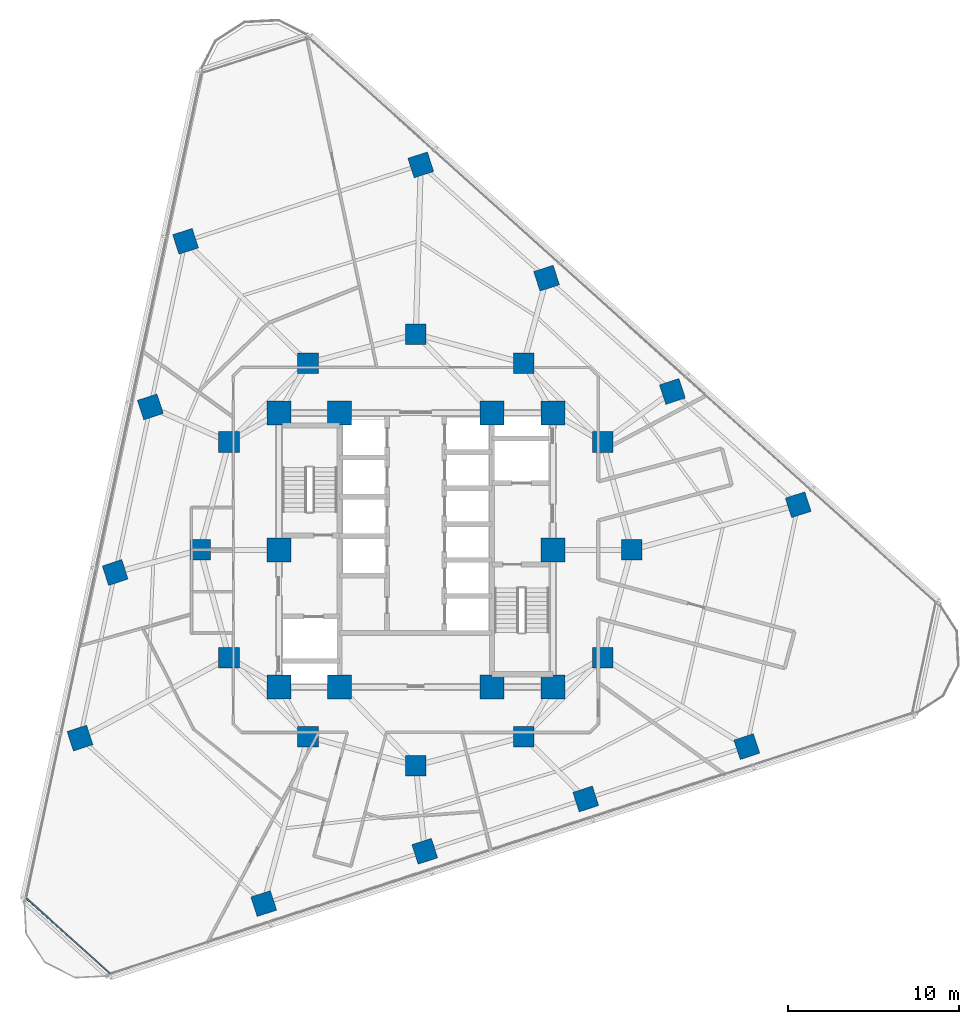
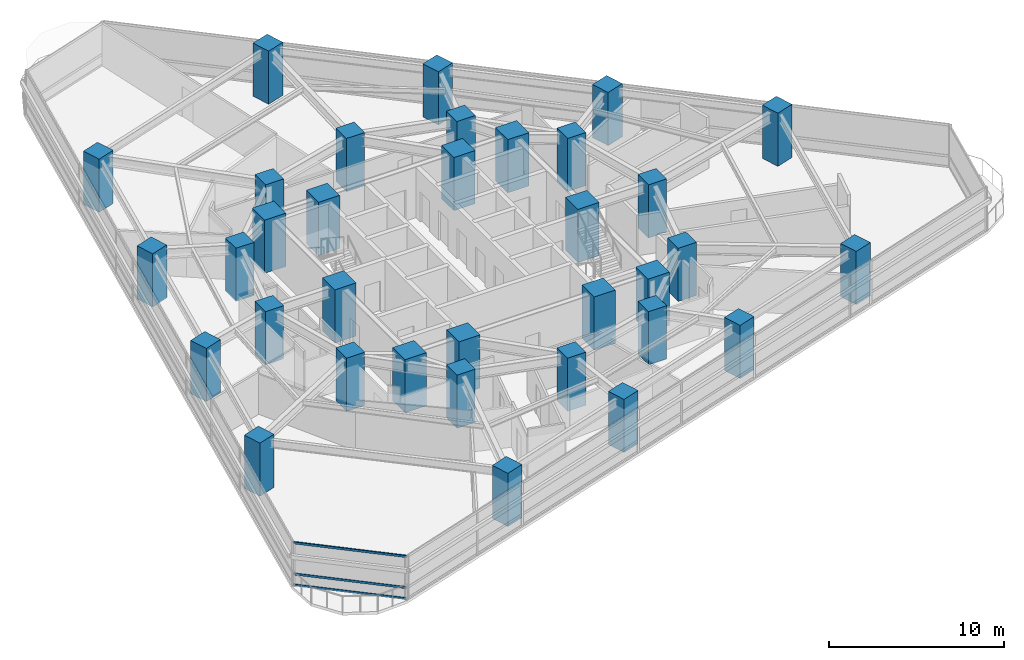
# One storey, part 1 of 13: 34 columns, 3 members, 1 element without a shape of its own.
"""IFC4 building model written with IfcOpenShell, lengths in metres."""

from ifc_helpers import new_model, si_unit, direction, frame, origin, origin_2d, place, context, subcontext, project, spatial, rectangle, extrude, material, layer, layer_set, material_profile, profile_set, type_object, element, aggregate, save


model = new_model("IFC4")

# Units and contexts
model_context = context("Model", 3, precision=1e-05, world=origin(), true_north=direction((0.0, 1.0)))
body_context = subcontext(model_context, "Body", "Model", "MODEL_VIEW")
ifc_project = project(units=[si_unit("LENGTHUNIT", "METRE"), si_unit("AREAUNIT", "SQUARE_METRE"), si_unit("VOLUMEUNIT", "CUBIC_METRE"), si_unit("PLANEANGLEUNIT", "RADIAN"), si_unit("MASSUNIT", "GRAM", prefix="KILO")], contexts=[model_context])

# Site, building, storey
site_placement = place(None, origin())
site = spatial("IfcSite", under=ifc_project, at=site_placement, CompositionType="ELEMENT")
building_placement = place(site_placement, origin())
building = spatial("IfcBuilding", under=site, at=building_placement, Name="Terralouvre Media Tower", CompositionType="ELEMENT")
storey_placement = place(building_placement, frame((0.0, 0.0, 90.300048828125)))
storey = spatial("IfcBuildingStorey", under=building, at=storey_placement, Name="L22", CompositionType="ELEMENT", Elevation=90.300048828125)

# Columns
ifc_material_1 = material(Name="Concrete C60/75", Category="concrete")
ifc_material_profile_1 = material_profile(ifc_material_1, rectangle(XDim=1.199951171875, YDim=1.199951171875, at=origin_2d()), Name="RC 1200x1200")
ifc_profile_set_1 = profile_set([ifc_material_profile_1], Name="Concrete C60/75")
column_type_1 = type_object("IfcColumnType", Name="Structural Column C-RC1200 (RC 1200x1200)", PredefinedType="COLUMN", material=ifc_profile_set_1)
for number, where, z_axis, x_axis, name in (
    (1, (12.60009765625, 0.0, 0.0), (0.0, 0.0, 1.0), (1.0, 0.0, 0.0), "L22 Mega-Frame Column MC01"),
    (2, (10.911865234375, 6.300048828125, 0.0), (0.0, 0.0, 1.0), (1.0, 0.0, 0.0), "L22 Mega-Frame Column MC02"),
    (3, (6.300048828125, 10.911865234375, 0.0), (0.0, 0.0, 1.0), (1.0, 0.0, 0.0), "L22 Mega-Frame Column MC03"),
    (4, (0.0, 12.60009765625, 0.0), (0.0, 0.0, 1.0), (1.0, 0.0, 0.0), "L22 Mega-Frame Column MC04"),
    (5, (-6.300048828125, 10.911865234375, 0.0), (0.0, 0.0, 1.0), (1.0, 0.0, 0.0), "L22 Mega-Frame Column MC05"),
    (6, (-10.911865234375, 6.300048828125, 0.0), (0.0, 0.0, 1.0), (1.0, 0.0, 0.0), "L22 Mega-Frame Column MC06"),
    (7, (-12.60009765625, 0.0, 0.0), (0.0, 0.0, 1.0), (1.0, 0.0, 0.0), "L22 Mega-Frame Column MC07"),
    (8, (-10.911865234375, -6.300048828125, 0.0), (0.0, 0.0, 1.0), (1.0, 0.0, 0.0), "L22 Mega-Frame Column MC08"),
    (9, (-6.300048828125, -10.911865234375, 0.0), (0.0, 0.0, 1.0), (1.0, 0.0, 0.0), "L22 Mega-Frame Column MC09"),
    (10, (0.0, -12.60009765625, 0.0), (0.0, 0.0, 1.0), (1.0, 0.0, 0.0), "L22 Mega-Frame Column MC10"),
    (11, (6.300048828125, -10.911865234375, 0.0), (0.0, 0.0, 1.0), (1.0, 0.0, 0.0), "L22 Mega-Frame Column MC11"),
    (12, (10.911865234375, -6.300048828125, 0.0), (0.0, 0.0, 1.0), (1.0, 0.0, 0.0), "L22 Mega-Frame Column MC12"),
    (13, (-8.883056640625, -20.658203125, 0.0), (0.0, 0.0, 1.0), (0.951056516295, 0.309016994375, 0.0), "L22 Perimeter Mega-Column PC11"),
    (14, (0.52099609375, -17.6025390625, 0.0), (0.0, 0.0, 1.0), (0.951056516295, 0.309016994375, 0.0), "L22 Perimeter Mega-Column PC12"),
    (15, (9.925048828125, -14.547119140625, 0.0), (0.0, 0.0, 1.0), (0.951056516295, 0.309016994375, 0.0), "L22 Perimeter Mega-Column PC13"),
    (16, (19.3291015625, -11.491455078125, 0.0), (0.0, 0.0, 1.0), (0.951056516295, 0.309016994375, 0.0), "L22 Perimeter Mega-Column PC14"),
    (17, (22.33203125, 2.63623046875, 0.0), (0.0, 0.0, 1.0), (0.951056516295, 0.309016994375, 0.0), "L22 Perimeter Mega-Column PC21"),
    (18, (14.98388671875, 9.25244140625, 0.0), (0.0, 0.0, 1.0), (0.951056516295, 0.309016994375, 0.0), "L22 Perimeter Mega-Column PC22"),
    (19, (7.635498046875, 15.868896484375, 0.0), (0.0, 0.0, 1.0), (0.951056516295, 0.309016994375, 0.0), "L22 Perimeter Mega-Column PC23"),
    (20, (0.287353515625, 22.4853515625, 0.0), (0.0, 0.0, 1.0), (0.951056516295, 0.309016994375, 0.0), "L22 Perimeter Mega-Column PC24"),
    (21, (-13.448974609375, 18.02197265625, 0.0), (0.0, 0.0, 1.0), (0.951056516295, 0.309016994375, 0.0), "L22 Perimeter Mega-Column PC31"),
    (22, (-15.5048828125, 8.35009765625, 0.0), (0.0, 0.0, 1.0), (0.951056516295, 0.309016994375, 0.0), "L22 Perimeter Mega-Column PC32"),
    (23, (-17.560791015625, -1.32177734375, 0.0), (0.0, 0.0, 1.0), (0.951056516295, 0.309016994375, 0.0), "L22 Perimeter Mega-Column PC33"),
    (24, (-19.616455078125, -10.99365234375, 0.0), (0.0, 0.0, 1.0), (0.951056516295, 0.309016994375, 0.0), "L22 Perimeter Mega-Column PC34"),
):
    element("IfcColumn", number, at=place(storey_placement, frame(where, z_axis=z_axis, x_axis=x_axis)), inside=storey, type_object=column_type_1, Name=name, PredefinedType="COLUMN", context=body_context, shape_type="SweptSolid", body=[
        extrude(rectangle(XDim=1.199951171875, YDim=1.199951171875, at=origin_2d()), origin(), (0.0, 0.0, 1.0), 3.699951171875),
    ])
ifc_material_2 = material(Name="Concrete C60/75", Category="concrete")
ifc_material_profile_2 = material_profile(ifc_material_2, rectangle(XDim=1.39990234375, YDim=1.39990234375, at=origin_2d()), Name="RC 1400x1400")
ifc_profile_set_2 = profile_set([ifc_material_profile_2], Name="Concrete C60/75")
column_type_2 = type_object("IfcColumnType", Name="Structural Column C-RC1400 (RC 1400x1400)", PredefinedType="COLUMN", material=ifc_profile_set_2)
for number, where, z_axis, x_axis, name in (
    (25, (-8.0, -8.0, 0.0), (0.0, 0.0, 1.0), (1.0, 0.0, 0.0), "L22 Core Pilaster Column CP1"),
    (26, (-4.449951171875, -8.0, 0.0), (0.0, 0.0, 1.0), (1.0, 0.0, 0.0), "L22 Core Pilaster Column CP2"),
    (27, (4.449951171875, -8.0, 0.0), (0.0, 0.0, 1.0), (1.0, 0.0, 0.0), "L22 Core Pilaster Column CP10"),
    (28, (8.0, -8.0, 0.0), (0.0, 0.0, 1.0), (1.0, 0.0, 0.0), "L22 Core Pilaster Column CP3"),
    (29, (8.0, 0.0, 0.0), (0.0, 0.0, 1.0), (1.0, 0.0, 0.0), "L22 Core Pilaster Column CP4"),
    (30, (8.0, 8.0, 0.0), (0.0, 0.0, 1.0), (1.0, 0.0, 0.0), "L22 Core Pilaster Column CP5"),
    (31, (4.449951171875, 8.0, 0.0), (0.0, 0.0, 1.0), (1.0, 0.0, 0.0), "L22 Core Pilaster Column CP9"),
    (32, (-4.449951171875, 8.0, 0.0), (0.0, 0.0, 1.0), (1.0, 0.0, 0.0), "L22 Core Pilaster Column CP6"),
    (33, (-8.0, 8.0, 0.0), (0.0, 0.0, 1.0), (1.0, 0.0, 0.0), "L22 Core Pilaster Column CP7"),
    (34, (-8.0, 0.0, 0.0), (0.0, 0.0, 1.0), (1.0, 0.0, 0.0), "L22 Core Pilaster Column CP8"),
):
    element("IfcColumn", number, at=place(storey_placement, frame(where, z_axis=z_axis, x_axis=x_axis)), inside=storey, type_object=column_type_2, Name=name, PredefinedType="COLUMN", context=body_context, shape_type="SweptSolid", body=[
        extrude(rectangle(XDim=1.39990234375, YDim=1.39990234375, at=origin_2d()), origin(), (0.0, 0.0, 1.0), 3.699951171875),
    ])

# Curtain wall, members
ifc_material_3 = material(Name="Low-iron laminated double glazing with solar-control coating", Category="glass")
ifc_layer = layer(ifc_material_3, 0.1650390625, Name="Rounded Wind-Corner Curved Glazing CW-04")
ifc_layer_set = layer_set([ifc_layer], Name="Low-iron laminated double glazing with solar-control coating")
curtain_wall_type = type_object("IfcCurtainWallType", Name="Rounded Wind-Corner Curved Glazing CW-04", PredefinedType="NOTDEFINED", material=ifc_layer_set)
curtain_wall_placement = place(storey_placement, origin())
curtain_wall = element("IfcCurtainWall", 35, at=curtain_wall_placement, inside=storey, type_object=curtain_wall_type, Name="L22 Rounded Wind-Corner Curtain Wall C0", PredefinedType="NOTDEFINED")
ifc_material_4 = material(Name="Anodised extruded aluminium 6063-T6", Category="aluminium")
ifc_material_profile_3 = material_profile(ifc_material_4, rectangle(XDim=0.074951171875, YDim=0.14990234375, at=origin_2d()), Name="ALU 75x150")
ifc_profile_set_3 = profile_set([ifc_material_profile_3], Name="Anodised extruded aluminium 6063-T6")
member_type = type_object("IfcMemberType", Name="Curtain-Wall Horizontal Transom TR-150", PredefinedType="USERDEFINED", material=ifc_profile_set_3)
member_1_placement = place(storey_placement, frame((-22.74560546875, -20.351806640625, 0.037353515625), z_axis=(0.743146319996, -0.669128946524, 0.0), x_axis=(0.669128946524, 0.743146319996, 0.0)))
member_1 = element("IfcMember", 36, at=member_1_placement, type_object=member_type, Name="CW-04 transom 1.1", ObjectType="TRANSOM", PredefinedType="USERDEFINED", context=body_context, shape_type="SweptSolid", body=[
    extrude(rectangle(XDim=0.074951171875, YDim=0.14990234375, at=origin_2d()), origin(), (0.0, 0.0, 1.0), 6.570556640625),
])
member_2_placement = place(storey_placement, frame((-22.74560546875, -20.351806640625, 0.800048828125), z_axis=(0.743146319996, -0.669128946524, 0.0), x_axis=(0.669128946524, 0.743146319996, 0.0)))
member_2 = element("IfcMember", 37, at=member_2_placement, type_object=member_type, Name="CW-04 transom 1.2", ObjectType="TRANSOM", PredefinedType="USERDEFINED", context=body_context, shape_type="SweptSolid", body=[
    extrude(rectangle(XDim=0.074951171875, YDim=0.14990234375, at=origin_2d()), origin(), (0.0, 0.0, 1.0), 6.570556640625),
])
member_3_placement = place(storey_placement, frame((-22.74560546875, -20.351806640625, 2.96240234375), z_axis=(0.743146319996, -0.669128946524, 0.0), x_axis=(0.669128946524, 0.743146319996, 0.0)))
member_3 = element("IfcMember", 38, at=member_3_placement, type_object=member_type, Name="CW-04 transom 1.3", ObjectType="TRANSOM", PredefinedType="USERDEFINED", context=body_context, shape_type="SweptSolid", body=[
    extrude(rectangle(XDim=0.074951171875, YDim=0.14990234375, at=origin_2d()), origin(), (0.0, 0.0, 1.0), 6.570556640625),
])
aggregate(curtain_wall, [member_1, member_2, member_3])

save(model, "model.ifc")
